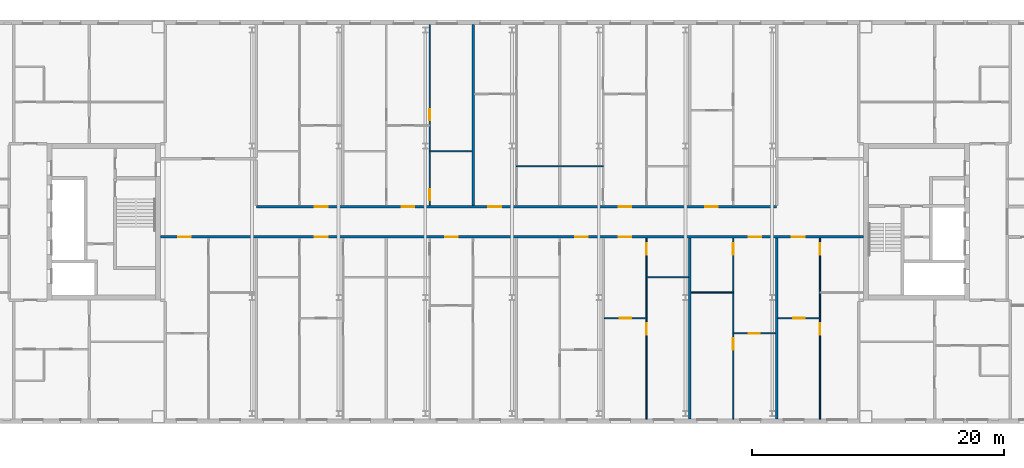
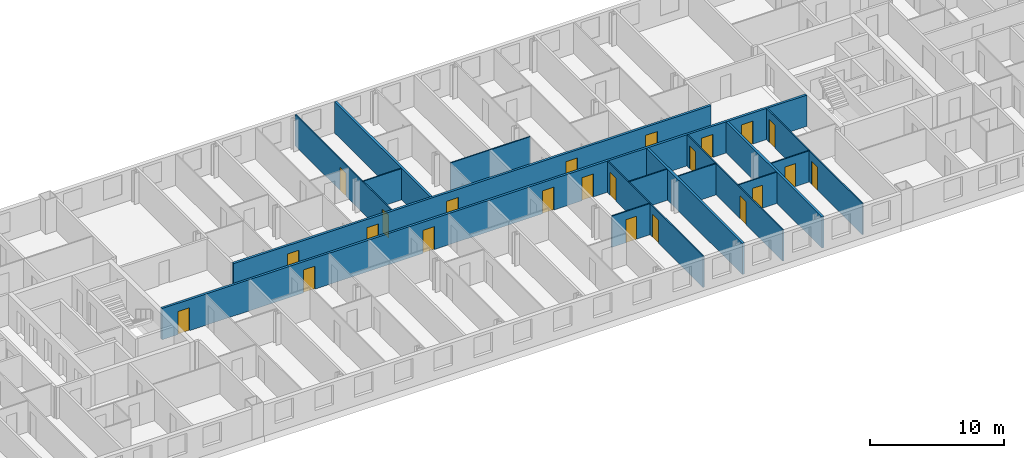
# One storey, part 11 of 19: 23 doors, 16 walls, 23 openings.
"""IFC4 building model written with IfcOpenShell, lengths in metres."""

from ifc_helpers import new_model, si_unit, direction, frame, frame_2d, origin, place, context, subcontext, project, spatial, rectangle, extrude, material, layer, layer_set, type_object, element, fill, save


model = new_model("IFC4")

# Units and contexts
model_context = context("Model", 3, precision=1e-05, world=origin(), true_north=direction((0.0, 1.0)))
body_context = subcontext(model_context, "Body", "Model", "MODEL_VIEW")
ifc_project = project(units=[si_unit("LENGTHUNIT", "METRE"), si_unit("AREAUNIT", "SQUARE_METRE"), si_unit("VOLUMEUNIT", "CUBIC_METRE"), si_unit("PLANEANGLEUNIT", "RADIAN"), si_unit("MASSUNIT", "GRAM", prefix="KILO")], contexts=[model_context])

# Site, building, storey
site_placement = place(None, origin())
site = spatial("IfcSite", under=ifc_project, at=site_placement, CompositionType="ELEMENT")
building_placement = place(site_placement, origin())
building = spatial("IfcBuilding", under=site, at=building_placement, Name="Tuart Gate Housing", CompositionType="ELEMENT")
storey_placement = place(building_placement, frame((0.0, 0.0, 221.39990234375)))
storey = spatial("IfcBuildingStorey", under=building, at=storey_placement, Name="L62", CompositionType="ELEMENT", Elevation=221.39990234375)

# Wall, openings, doors
ifc_material_1 = material(Name="Concrete masonry 15 MPa", Category="masonry")
ifc_layer_1 = layer(ifc_material_1, 0.199951171875)
ifc_layer_set_1 = layer_set([ifc_layer_1], Name="Corridor wall masonry 200")
wall_type_1 = type_object("IfcWallType", Name="Corridor wall masonry 200", PredefinedType="PARTITIONING", material=ifc_layer_set_1)
wall_1_placement = place(storey_placement, frame((75.639892578125, 68.800048828125, 0.0), z_axis=(0.0, 0.0, 1.0), x_axis=(1.0, 0.0, 0.0)))
wall_1 = element("IfcWall", 1, at=wall_1_placement, inside=storey, type_object=wall_type_1, Name="Corridor wall masonry 200", PredefinedType="PARTITIONING", context=body_context, shape_type="SweptSolid", body=[
    extrude(rectangle(XDim=55.72021484375, YDim=0.199951171875, at=frame_2d((27.860107421875, 0.0))), origin(), (0.0, 0.0, 1.0), 2.85009765625),
])
opening_1_placement = place(wall_1_placement, frame((1.39892578125, 0.0, 0.0)))
opening_1 = element("IfcOpeningElement", 2, at=opening_1_placement, cuts=wall_1, Name="Opening D2359", PredefinedType="OPENING", context=body_context, shape_type="SweptSolid", body=[
    extrude(rectangle(XDim=1.0, YDim=2.10009765625, at=frame_2d((0.5, 1.050048828125))), frame((0.0, 0.10986328125, 0.0), z_axis=(0.0, -1.0, 0.0), x_axis=(1.0, 0.0, 0.0)), (0.0, 0.0, 1.0), 0.219970703125),
])
opening_2_placement = place(wall_1_placement, frame((12.240966796875, 0.0, 0.0)))
opening_2 = element("IfcOpeningElement", 3, at=opening_2_placement, cuts=wall_1, Name="Opening D2360", PredefinedType="OPENING", context=body_context, shape_type="SweptSolid", body=[
    extrude(rectangle(XDim=1.0, YDim=2.10009765625, at=frame_2d((0.5, 1.050048828125))), frame((0.0, 0.10986328125, 0.0), z_axis=(0.0, -1.0, 0.0), x_axis=(1.0, 0.0, 0.0)), (0.0, 0.0, 1.0), 0.219970703125),
])
opening_3_placement = place(wall_1_placement, frame((22.553466796875, 0.0, 0.0)))
opening_3 = element("IfcOpeningElement", 4, at=opening_3_placement, cuts=wall_1, Name="Opening D2361", PredefinedType="OPENING", context=body_context, shape_type="SweptSolid", body=[
    extrude(rectangle(XDim=1.0, YDim=2.10009765625, at=frame_2d((0.5, 1.050048828125))), frame((0.0, 0.10986328125, 0.0), z_axis=(0.0, -1.0, 0.0), x_axis=(1.0, 0.0, 0.0)), (0.0, 0.0, 1.0), 0.219970703125),
])
opening_4_placement = place(wall_1_placement, frame((32.865966796875, 0.0, 0.0)))
opening_4 = element("IfcOpeningElement", 5, at=opening_4_placement, cuts=wall_1, Name="Opening D2362", PredefinedType="OPENING", context=body_context, shape_type="SweptSolid", body=[
    extrude(rectangle(XDim=1.0, YDim=2.10009765625, at=frame_2d((0.5, 1.050048828125))), frame((0.0, 0.10986328125, 0.0), z_axis=(0.0, -1.0, 0.0), x_axis=(1.0, 0.0, 0.0)), (0.0, 0.0, 1.0), 0.219970703125),
])
opening_5_placement = place(wall_1_placement, frame((36.303466796875, 0.0, 0.0)))
opening_5 = element("IfcOpeningElement", 6, at=opening_5_placement, cuts=wall_1, Name="Opening D2363", PredefinedType="OPENING", context=body_context, shape_type="SweptSolid", body=[
    extrude(rectangle(XDim=1.0, YDim=2.10009765625, at=frame_2d((0.5, 1.050048828125))), frame((0.0, 0.10986328125, 0.0), z_axis=(0.0, -1.0, 0.0), x_axis=(1.0, 0.0, 0.0)), (0.0, 0.0, 1.0), 0.219970703125),
])
opening_6_placement = place(wall_1_placement, frame((46.615966796875, 0.0, 0.0)))
opening_6 = element("IfcOpeningElement", 7, at=opening_6_placement, cuts=wall_1, Name="Opening D2364", PredefinedType="OPENING", context=body_context, shape_type="SweptSolid", body=[
    extrude(rectangle(XDim=1.0, YDim=2.10009765625, at=frame_2d((0.5, 1.050048828125))), frame((0.0, 0.10986328125, 0.0), z_axis=(0.0, -1.0, 0.0), x_axis=(1.0, 0.0, 0.0)), (0.0, 0.0, 1.0), 0.219970703125),
])
opening_7_placement = place(wall_1_placement, frame((50.053466796875, 0.0, 0.0)))
opening_7 = element("IfcOpeningElement", 8, at=opening_7_placement, cuts=wall_1, Name="Opening D2365", PredefinedType="OPENING", context=body_context, shape_type="SweptSolid", body=[
    extrude(rectangle(XDim=1.0, YDim=2.10009765625, at=frame_2d((0.5, 1.050048828125))), frame((0.0, 0.10986328125, 0.0), z_axis=(0.0, -1.0, 0.0), x_axis=(1.0, 0.0, 0.0)), (0.0, 0.0, 1.0), 0.219970703125),
])
ifc_material_2 = material(Name="Timber door leaf in steel frame", Category="steel")
door_type_1 = type_object("IfcDoorType", Name="Flat entrance door 1000 RH", OperationType="SINGLE_SWING_RIGHT", PredefinedType="DOOR", material=ifc_material_2)
door_1_placement = place(opening_1_placement, frame((1.0, 0.0, 0.0), z_axis=(0.0, 0.0, 1.0), x_axis=(-1.0, 0.0, 0.0)))
door_1 = element("IfcDoor", 9, at=door_1_placement, inside=storey, type_object=door_type_1, Name="Flat entrance door", OperationType="SINGLE_SWING_RIGHT", OverallHeight=2.10009765625, OverallWidth=1.0, PredefinedType="DOOR", context=body_context, shape_type="SweptSolid", body=[
    extrude(rectangle(XDim=1.0, YDim=2.10009765625, at=frame_2d((0.5, 1.050048828125))), frame((0.0, 0.025146484375, 0.0), z_axis=(0.0, -1.0, 0.0), x_axis=(1.0, 0.0, 0.0)), (0.0, 0.0, 1.0), 0.050048828125),
])
fill(opening_1, door_1)
door_2_placement = place(opening_2_placement, frame((1.0, 0.0, 0.0), z_axis=(0.0, 0.0, 1.0), x_axis=(-1.0, 0.0, 0.0)))
door_2 = element("IfcDoor", 10, at=door_2_placement, inside=storey, type_object=door_type_1, Name="Flat entrance door", OperationType="SINGLE_SWING_RIGHT", OverallHeight=2.10009765625, OverallWidth=1.0, PredefinedType="DOOR", context=body_context, shape_type="SweptSolid", body=[
    extrude(rectangle(XDim=1.0, YDim=2.10009765625, at=frame_2d((0.5, 1.050048828125))), frame((0.0, 0.025146484375, 0.0), z_axis=(0.0, -1.0, 0.0), x_axis=(1.0, 0.0, 0.0)), (0.0, 0.0, 1.0), 0.050048828125),
])
fill(opening_2, door_2)
door_3_placement = place(opening_3_placement, frame((1.0, 0.0, 0.0), z_axis=(0.0, 0.0, 1.0), x_axis=(-1.0, 0.0, 0.0)))
door_3 = element("IfcDoor", 11, at=door_3_placement, inside=storey, type_object=door_type_1, Name="Flat entrance door", OperationType="SINGLE_SWING_RIGHT", OverallHeight=2.10009765625, OverallWidth=1.0, PredefinedType="DOOR", context=body_context, shape_type="SweptSolid", body=[
    extrude(rectangle(XDim=1.0, YDim=2.10009765625, at=frame_2d((0.5, 1.050048828125))), frame((0.0, 0.025146484375, 0.0), z_axis=(0.0, -1.0, 0.0), x_axis=(1.0, 0.0, 0.0)), (0.0, 0.0, 1.0), 0.050048828125),
])
fill(opening_3, door_3)
door_4_placement = place(opening_4_placement, frame((1.0, 0.0, 0.0), z_axis=(0.0, 0.0, 1.0), x_axis=(-1.0, 0.0, 0.0)))
door_4 = element("IfcDoor", 12, at=door_4_placement, inside=storey, type_object=door_type_1, Name="Flat entrance door", OperationType="SINGLE_SWING_RIGHT", OverallHeight=2.10009765625, OverallWidth=1.0, PredefinedType="DOOR", context=body_context, shape_type="SweptSolid", body=[
    extrude(rectangle(XDim=1.0, YDim=2.10009765625, at=frame_2d((0.5, 1.050048828125))), frame((0.0, 0.025146484375, 0.0), z_axis=(0.0, -1.0, 0.0), x_axis=(1.0, 0.0, 0.0)), (0.0, 0.0, 1.0), 0.050048828125),
])
fill(opening_4, door_4)
door_5_placement = place(opening_5_placement, frame((1.0, 0.0, 0.0), z_axis=(0.0, 0.0, 1.0), x_axis=(-1.0, 0.0, 0.0)))
door_5 = element("IfcDoor", 13, at=door_5_placement, inside=storey, type_object=door_type_1, Name="Flat entrance door", OperationType="SINGLE_SWING_RIGHT", OverallHeight=2.10009765625, OverallWidth=1.0, PredefinedType="DOOR", context=body_context, shape_type="SweptSolid", body=[
    extrude(rectangle(XDim=1.0, YDim=2.10009765625, at=frame_2d((0.5, 1.050048828125))), frame((0.0, 0.025146484375, 0.0), z_axis=(0.0, -1.0, 0.0), x_axis=(1.0, 0.0, 0.0)), (0.0, 0.0, 1.0), 0.050048828125),
])
fill(opening_5, door_5)
door_6_placement = place(opening_6_placement, frame((1.0, 0.0, 0.0), z_axis=(0.0, 0.0, 1.0), x_axis=(-1.0, 0.0, 0.0)))
door_6 = element("IfcDoor", 14, at=door_6_placement, inside=storey, type_object=door_type_1, Name="Flat entrance door", OperationType="SINGLE_SWING_RIGHT", OverallHeight=2.10009765625, OverallWidth=1.0, PredefinedType="DOOR", context=body_context, shape_type="SweptSolid", body=[
    extrude(rectangle(XDim=1.0, YDim=2.10009765625, at=frame_2d((0.5, 1.050048828125))), frame((0.0, 0.025146484375, 0.0), z_axis=(0.0, -1.0, 0.0), x_axis=(1.0, 0.0, 0.0)), (0.0, 0.0, 1.0), 0.050048828125),
])
fill(opening_6, door_6)
door_7_placement = place(opening_7_placement, frame((1.0, 0.0, 0.0), z_axis=(0.0, 0.0, 1.0), x_axis=(-1.0, 0.0, 0.0)))
door_7 = element("IfcDoor", 15, at=door_7_placement, inside=storey, type_object=door_type_1, Name="Flat entrance door", OperationType="SINGLE_SWING_RIGHT", OverallHeight=2.10009765625, OverallWidth=1.0, PredefinedType="DOOR", context=body_context, shape_type="SweptSolid", body=[
    extrude(rectangle(XDim=1.0, YDim=2.10009765625, at=frame_2d((0.5, 1.050048828125))), frame((0.0, 0.025146484375, 0.0), z_axis=(0.0, -1.0, 0.0), x_axis=(1.0, 0.0, 0.0)), (0.0, 0.0, 1.0), 0.050048828125),
])
fill(opening_7, door_7)

wall_2_placement = place(storey_placement, frame((83.22509765625, 71.199951171875, 0.0), z_axis=(0.0, 0.0, 1.0), x_axis=(1.0, 0.0, 0.0)))
wall_2 = element("IfcWall", 16, at=wall_2_placement, inside=storey, type_object=wall_type_1, Name="Corridor wall masonry 200", PredefinedType="PARTITIONING", context=body_context, shape_type="SweptSolid", body=[
    extrude(rectangle(XDim=41.25, YDim=0.199951171875, at=frame_2d((20.625, 0.0))), origin(), (0.0, 0.0, 1.0), 2.85009765625),
])
opening_8_placement = place(wall_2_placement, frame((4.656005859375, 0.0, 0.0)))
opening_8 = element("IfcOpeningElement", 17, at=opening_8_placement, cuts=wall_2, Name="Opening D2354", PredefinedType="OPENING", context=body_context, shape_type="SweptSolid", body=[
    extrude(rectangle(XDim=1.0, YDim=2.10009765625, at=frame_2d((0.5, 1.050048828125))), frame((0.0, 0.10986328125, 0.0), z_axis=(0.0, -1.0, 0.0), x_axis=(1.0, 0.0, 0.0)), (0.0, 0.0, 1.0), 0.219970703125),
])
opening_9_placement = place(wall_2_placement, frame((11.531005859375, 0.0, 0.0)))
opening_9 = element("IfcOpeningElement", 18, at=opening_9_placement, cuts=wall_2, Name="Opening D2355", PredefinedType="OPENING", context=body_context, shape_type="SweptSolid", body=[
    extrude(rectangle(XDim=1.0, YDim=2.10009765625, at=frame_2d((0.5, 1.050048828125))), frame((0.0, 0.10986328125, 0.0), z_axis=(0.0, -1.0, 0.0), x_axis=(1.0, 0.0, 0.0)), (0.0, 0.0, 1.0), 0.219970703125),
])
opening_10_placement = place(wall_2_placement, frame((18.406005859375, 0.0, 0.0)))
opening_10 = element("IfcOpeningElement", 19, at=opening_10_placement, cuts=wall_2, Name="Opening D2356", PredefinedType="OPENING", context=body_context, shape_type="SweptSolid", body=[
    extrude(rectangle(XDim=1.0, YDim=2.10009765625, at=frame_2d((0.5, 1.050048828125))), frame((0.0, 0.10986328125, 0.0), z_axis=(0.0, -1.0, 0.0), x_axis=(1.0, 0.0, 0.0)), (0.0, 0.0, 1.0), 0.219970703125),
])
opening_11_placement = place(wall_2_placement, frame((28.718505859375, 0.0, 0.0)))
opening_11 = element("IfcOpeningElement", 20, at=opening_11_placement, cuts=wall_2, Name="Opening D2357", PredefinedType="OPENING", context=body_context, shape_type="SweptSolid", body=[
    extrude(rectangle(XDim=1.0, YDim=2.10009765625, at=frame_2d((0.5, 1.050048828125))), frame((0.0, 0.10986328125, 0.0), z_axis=(0.0, -1.0, 0.0), x_axis=(1.0, 0.0, 0.0)), (0.0, 0.0, 1.0), 0.219970703125),
])
opening_12_placement = place(wall_2_placement, frame((35.593505859375, 0.0, 0.0)))
opening_12 = element("IfcOpeningElement", 21, at=opening_12_placement, cuts=wall_2, Name="Opening D2358", PredefinedType="OPENING", context=body_context, shape_type="SweptSolid", body=[
    extrude(rectangle(XDim=1.0, YDim=2.10009765625, at=frame_2d((0.5, 1.050048828125))), frame((0.0, 0.10986328125, 0.0), z_axis=(0.0, -1.0, 0.0), x_axis=(1.0, 0.0, 0.0)), (0.0, 0.0, 1.0), 0.219970703125),
])
ifc_material_3 = material(Name="Timber door leaf in steel frame", Category="steel")
door_type_2 = type_object("IfcDoorType", Name="Flat entrance door 1000", OperationType="SINGLE_SWING_LEFT", PredefinedType="DOOR", material=ifc_material_3)
door_8_placement = place(opening_8_placement, origin())
door_8 = element("IfcDoor", 22, at=door_8_placement, inside=storey, type_object=door_type_2, Name="Flat entrance door", OperationType="SINGLE_SWING_LEFT", OverallHeight=2.10009765625, OverallWidth=1.0, PredefinedType="DOOR", context=body_context, shape_type="SweptSolid", body=[
    extrude(rectangle(XDim=1.0, YDim=2.10009765625, at=frame_2d((0.5, 1.050048828125))), frame((0.0, 0.02490234375, 0.0), z_axis=(0.0, -1.0, 0.0), x_axis=(1.0, 0.0, 0.0)), (0.0, 0.0, 1.0), 0.050048828125),
])
fill(opening_8, door_8)
door_9_placement = place(opening_9_placement, origin())
door_9 = element("IfcDoor", 23, at=door_9_placement, inside=storey, type_object=door_type_2, Name="Flat entrance door", OperationType="SINGLE_SWING_LEFT", OverallHeight=2.10009765625, OverallWidth=1.0, PredefinedType="DOOR", context=body_context, shape_type="SweptSolid", body=[
    extrude(rectangle(XDim=1.0, YDim=2.10009765625, at=frame_2d((0.5, 1.050048828125))), frame((0.0, 0.02490234375, 0.0), z_axis=(0.0, -1.0, 0.0), x_axis=(1.0, 0.0, 0.0)), (0.0, 0.0, 1.0), 0.050048828125),
])
fill(opening_9, door_9)
door_10_placement = place(opening_10_placement, origin())
door_10 = element("IfcDoor", 24, at=door_10_placement, inside=storey, type_object=door_type_2, Name="Flat entrance door", OperationType="SINGLE_SWING_LEFT", OverallHeight=2.10009765625, OverallWidth=1.0, PredefinedType="DOOR", context=body_context, shape_type="SweptSolid", body=[
    extrude(rectangle(XDim=1.0, YDim=2.10009765625, at=frame_2d((0.5, 1.050048828125))), frame((0.0, 0.02490234375, 0.0), z_axis=(0.0, -1.0, 0.0), x_axis=(1.0, 0.0, 0.0)), (0.0, 0.0, 1.0), 0.050048828125),
])
fill(opening_10, door_10)
door_11_placement = place(opening_11_placement, origin())
door_11 = element("IfcDoor", 25, at=door_11_placement, inside=storey, type_object=door_type_2, Name="Flat entrance door", OperationType="SINGLE_SWING_LEFT", OverallHeight=2.10009765625, OverallWidth=1.0, PredefinedType="DOOR", context=body_context, shape_type="SweptSolid", body=[
    extrude(rectangle(XDim=1.0, YDim=2.10009765625, at=frame_2d((0.5, 1.050048828125))), frame((0.0, 0.02490234375, 0.0), z_axis=(0.0, -1.0, 0.0), x_axis=(1.0, 0.0, 0.0)), (0.0, 0.0, 1.0), 0.050048828125),
])
fill(opening_11, door_11)
door_12_placement = place(opening_12_placement, origin())
door_12 = element("IfcDoor", 26, at=door_12_placement, inside=storey, type_object=door_type_2, Name="Flat entrance door", OperationType="SINGLE_SWING_LEFT", OverallHeight=2.10009765625, OverallWidth=1.0, PredefinedType="DOOR", context=body_context, shape_type="SweptSolid", body=[
    extrude(rectangle(XDim=1.0, YDim=2.10009765625, at=frame_2d((0.5, 1.050048828125))), frame((0.0, 0.02490234375, 0.0), z_axis=(0.0, -1.0, 0.0), x_axis=(1.0, 0.0, 0.0)), (0.0, 0.0, 1.0), 0.050048828125),
])
fill(opening_12, door_12)

# Wall, opening, door
ifc_material_4 = material(Name="Gypsum board on steel studs", Category="steel")
ifc_layer_2 = layer(ifc_material_4, 0.10009765625)
ifc_layer_set_2 = layer_set([ifc_layer_2], Name="Partition 100")
wall_type_2 = type_object("IfcWallType", Name="Partition 100", PredefinedType="PARTITIONING", material=ifc_layer_set_2)
wall_3_placement = place(storey_placement, frame((121.037109375, 61.159912109375, 0.0), z_axis=(0.0, 0.0, 1.0), x_axis=(1.0, 0.0, 0.0)))
wall_3 = element("IfcWall", 27, at=wall_3_placement, inside=storey, type_object=wall_type_2, Name="Partition 100", PredefinedType="PARTITIONING", context=body_context, shape_type="SweptSolid", body=[
    extrude(rectangle(XDim=3.337890625, YDim=0.10009765625, at=frame_2d((1.6689453125, 0.0))), origin(), (0.0, 0.0, 1.0), 2.85009765625),
])
opening_13_placement = place(wall_3_placement, frame((1.218994140625, 0.0, 0.0)))
opening_13 = element("IfcOpeningElement", 28, at=opening_13_placement, cuts=wall_3, Name="Opening D2389", PredefinedType="OPENING", context=body_context, shape_type="SweptSolid", body=[
    extrude(rectangle(XDim=0.89990234375, YDim=2.10009765625, at=frame_2d((0.449951171875, 1.050048828125))), frame((0.0, 0.06005859375, 0.0), z_axis=(0.0, -1.0, 0.0), x_axis=(1.0, 0.0, 0.0)), (0.0, 0.0, 1.0), 0.1201171875),
])
ifc_material_5 = material(Name="Timber door leaf in steel frame", Category="steel")
door_type_3 = type_object("IfcDoorType", Name="Internal door 900", OperationType="SINGLE_SWING_LEFT", PredefinedType="DOOR", material=ifc_material_5)
door_13_placement = place(opening_13_placement, origin())
door_13 = element("IfcDoor", 29, at=door_13_placement, inside=storey, type_object=door_type_3, Name="Internal door", OperationType="SINGLE_SWING_LEFT", OverallHeight=2.10009765625, OverallWidth=0.89990234375, PredefinedType="DOOR", context=body_context, shape_type="SweptSolid", body=[
    extrude(rectangle(XDim=0.89990234375, YDim=2.10009765625, at=frame_2d((0.449951171875, 1.050048828125))), frame((0.0, 0.02490234375, 0.0), z_axis=(0.0, -1.0, 0.0), x_axis=(1.0, 0.0, 0.0)), (0.0, 0.0, 1.0), 0.050048828125),
])
fill(opening_13, door_13)

wall_4_placement = place(storey_placement, frame((110.824951171875, 62.360107421875, 0.0), z_axis=(0.0, 0.0, 1.0), x_axis=(1.0, 0.0, 0.0)))
wall_4 = element("IfcWall", 30, at=wall_4_placement, inside=storey, type_object=wall_type_2, Name="Partition 100", PredefinedType="PARTITIONING", context=body_context, shape_type="SweptSolid", body=[
    extrude(rectangle(XDim=3.337158203125, YDim=0.10009765625, at=frame_2d((1.66845703125, 0.0))), origin(), (0.0, 0.0, 1.0), 2.85009765625),
])
opening_14_placement = place(wall_4_placement, frame((1.218505859375, 0.0, 0.0)))
opening_14 = element("IfcOpeningElement", 31, at=opening_14_placement, cuts=wall_4, Name="Opening D2368", PredefinedType="OPENING", context=body_context, shape_type="SweptSolid", body=[
    extrude(rectangle(XDim=0.89990234375, YDim=2.10009765625, at=frame_2d((0.449951171875, 1.050048828125))), frame((0.0, 0.06005859375, 0.0), z_axis=(0.0, -1.0, 0.0), x_axis=(1.0, 0.0, 0.0)), (0.0, 0.0, 1.0), 0.1201171875),
])
ifc_material_6 = material(Name="Timber door leaf in steel frame", Category="steel")
door_type_4 = type_object("IfcDoorType", Name="Internal door 900 RH", OperationType="SINGLE_SWING_RIGHT", PredefinedType="DOOR", material=ifc_material_6)
door_14_placement = place(opening_14_placement, origin())
door_14 = element("IfcDoor", 32, at=door_14_placement, inside=storey, type_object=door_type_4, Name="Internal door", OperationType="SINGLE_SWING_RIGHT", OverallHeight=2.10009765625, OverallWidth=0.89990234375, PredefinedType="DOOR", context=body_context, shape_type="SweptSolid", body=[
    extrude(rectangle(XDim=0.89990234375, YDim=2.10009765625, at=frame_2d((0.449951171875, 1.050048828125))), frame((0.0, 0.02490234375, 0.0), z_axis=(0.0, -1.0, 0.0), x_axis=(1.0, 0.0, 0.0)), (0.0, 0.0, 1.0), 0.050048828125),
])
fill(opening_14, door_14)

wall_5_placement = place(storey_placement, frame((124.574951171875, 62.360107421875, 0.0), z_axis=(0.0, 0.0, 1.0), x_axis=(1.0, 0.0, 0.0)))
wall_5 = element("IfcWall", 33, at=wall_5_placement, inside=storey, type_object=wall_type_2, Name="Partition 100", PredefinedType="PARTITIONING", context=body_context, shape_type="SweptSolid", body=[
    extrude(rectangle(XDim=3.337158203125, YDim=0.10009765625, at=frame_2d((1.66845703125, 0.0))), origin(), (0.0, 0.0, 1.0), 2.85009765625),
])
opening_15_placement = place(wall_5_placement, frame((1.218505859375, 0.0, 0.0)))
opening_15 = element("IfcOpeningElement", 34, at=opening_15_placement, cuts=wall_5, Name="Opening D2369", PredefinedType="OPENING", context=body_context, shape_type="SweptSolid", body=[
    extrude(rectangle(XDim=0.89990234375, YDim=2.10009765625, at=frame_2d((0.449951171875, 1.050048828125))), frame((0.0, 0.06005859375, 0.0), z_axis=(0.0, -1.0, 0.0), x_axis=(1.0, 0.0, 0.0)), (0.0, 0.0, 1.0), 0.1201171875),
])
door_15_placement = place(opening_15_placement, origin())
door_15 = element("IfcDoor", 35, at=door_15_placement, inside=storey, type_object=door_type_4, Name="Internal door", OperationType="SINGLE_SWING_RIGHT", OverallHeight=2.10009765625, OverallWidth=0.89990234375, PredefinedType="DOOR", context=body_context, shape_type="SweptSolid", body=[
    extrude(rectangle(XDim=0.89990234375, YDim=2.10009765625, at=frame_2d((0.449951171875, 1.050048828125))), frame((0.0, 0.02490234375, 0.0), z_axis=(0.0, -1.0, 0.0), x_axis=(1.0, 0.0, 0.0)), (0.0, 0.0, 1.0), 0.050048828125),
])
fill(opening_15, door_15)

# Walls
wall_6_placement = place(storey_placement, frame((117.699951171875, 64.39990234375, 0.0), z_axis=(0.0, 0.0, 1.0), x_axis=(1.0, 0.0, 0.0)))
element("IfcWall", 36, at=wall_6_placement, inside=storey, type_object=wall_type_2, Name="Partition 100", PredefinedType="PARTITIONING", context=body_context, shape_type="SweptSolid", body=[
    extrude(rectangle(XDim=3.337158203125, YDim=0.10009765625, at=frame_2d((1.66845703125, 0.0))), origin(), (0.0, 0.0, 1.0), 2.85009765625),
])
wall_7_placement = place(storey_placement, frame((114.162109375, 65.60009765625, 0.0), z_axis=(0.0, 0.0, 1.0), x_axis=(1.0, 0.0, 0.0)))
element("IfcWall", 37, at=wall_7_placement, inside=storey, type_object=wall_type_2, Name="Partition 100", PredefinedType="PARTITIONING", context=body_context, shape_type="SweptSolid", body=[
    extrude(rectangle(XDim=3.337890625, YDim=0.10009765625, at=frame_2d((1.6689453125, 0.0))), origin(), (0.0, 0.0, 1.0), 2.85009765625),
])
wall_8_placement = place(storey_placement, frame((103.85009765625, 74.39990234375, 0.0), z_axis=(0.0, 0.0, 1.0), x_axis=(1.0, 0.0, 0.0)))
element("IfcWall", 38, at=wall_8_placement, inside=storey, type_object=wall_type_2, Name="Partition 100", PredefinedType="PARTITIONING", context=body_context, shape_type="SweptSolid", body=[
    extrude(rectangle(XDim=6.875, YDim=0.10009765625, at=frame_2d((3.4375, 0.0))), origin(), (0.0, 0.0, 1.0), 2.85009765625),
])
wall_9_placement = place(storey_placement, frame((96.97509765625, 75.60009765625, 0.0), z_axis=(0.0, 0.0, 1.0), x_axis=(1.0, 0.0, 0.0)))
element("IfcWall", 39, at=wall_9_placement, inside=storey, type_object=wall_type_2, Name="Partition 100", PredefinedType="PARTITIONING", context=body_context, shape_type="SweptSolid", body=[
    extrude(rectangle(XDim=3.3369140625, YDim=0.10009765625, at=frame_2d((1.66845703125, 0.0))), origin(), (0.0, 0.0, 1.0), 2.85009765625),
])

# Wall, openings, doors
wall_10_placement = place(storey_placement, frame((96.97509765625, 71.300048828125, 0.0), z_axis=(0.0, 0.0, 1.0), x_axis=(0.0, 1.0, 0.0)))
wall_10 = element("IfcWall", 40, at=wall_10_placement, inside=storey, type_object=wall_type_2, Name="Partition 100", PredefinedType="PARTITIONING", context=body_context, shape_type="SweptSolid", body=[
    extrude(rectangle(XDim=14.33984375, YDim=0.10009765625, at=frame_2d((7.169921875, 0.0))), origin(), (0.0, 0.0, 1.0), 2.85009765625),
])
opening_16_placement = place(wall_10_placement, frame((6.739990234375, 0.0, 0.0)))
opening_16 = element("IfcOpeningElement", 41, at=opening_16_placement, cuts=wall_10, Name="Opening D2341", PredefinedType="OPENING", context=body_context, shape_type="SweptSolid", body=[
    extrude(rectangle(XDim=0.89990234375, YDim=2.10009765625, at=frame_2d((0.449951171875, 1.050048828125))), frame((0.0, 0.06005859375, 0.0), z_axis=(0.0, -1.0, 0.0), x_axis=(1.0, 0.0, 0.0)), (0.0, 0.0, 1.0), 0.1201171875),
])
opening_17_placement = place(wall_10_placement, frame((0.39990234375, 0.0, 0.0)))
opening_17 = element("IfcOpeningElement", 42, at=opening_17_placement, cuts=wall_10, Name="Opening D2340", PredefinedType="OPENING", context=body_context, shape_type="SweptSolid", body=[
    extrude(rectangle(XDim=0.89990234375, YDim=2.10009765625, at=frame_2d((0.449951171875, 1.050048828125))), frame((0.0, 0.06005859375, 0.0), z_axis=(0.0, -1.0, 0.0), x_axis=(1.0, 0.0, 0.0)), (0.0, 0.0, 1.0), 0.1201171875),
])
ifc_material_7 = material(Name="Timber door leaf in steel frame", Category="steel")
door_type_5 = type_object("IfcDoorType", Name="Bathroom door 900 RH", OperationType="SINGLE_SWING_RIGHT", PredefinedType="DOOR", material=ifc_material_7)
door_16_placement = place(opening_17_placement, frame((0.89990234375, 0.0, 0.0), z_axis=(0.0, 0.0, 1.0), x_axis=(-1.0, 0.0, 0.0)))
door_16 = element("IfcDoor", 43, at=door_16_placement, inside=storey, type_object=door_type_5, Name="Bathroom door", OperationType="SINGLE_SWING_RIGHT", OverallHeight=2.10009765625, OverallWidth=0.89990234375, PredefinedType="DOOR", context=body_context, shape_type="SweptSolid", body=[
    extrude(rectangle(XDim=0.89990234375, YDim=2.10009765625, at=frame_2d((0.449951171875, 1.050048828125))), frame((0.0, 0.025146484375, 0.0), z_axis=(0.0, -1.0, 0.0), x_axis=(1.0, 0.0, 0.0)), (0.0, 0.0, 1.0), 0.050048828125),
])
fill(opening_17, door_16)
door_17_placement = place(opening_16_placement, frame((0.89990234375, 0.0, 0.0), z_axis=(0.0, 0.0, 1.0), x_axis=(-1.0, 0.0, 0.0)))
door_17 = element("IfcDoor", 44, at=door_17_placement, inside=storey, type_object=door_type_4, Name="Internal door", OperationType="SINGLE_SWING_RIGHT", OverallHeight=2.10009765625, OverallWidth=0.89990234375, PredefinedType="DOOR", context=body_context, shape_type="SweptSolid", body=[
    extrude(rectangle(XDim=0.89990234375, YDim=2.10009765625, at=frame_2d((0.449951171875, 1.050048828125))), frame((0.0, 0.025146484375, 0.0), z_axis=(0.0, -1.0, 0.0), x_axis=(1.0, 0.0, 0.0)), (0.0, 0.0, 1.0), 0.050048828125),
])
fill(opening_16, door_17)

wall_11_placement = place(storey_placement, frame((114.162109375, 54.360107421875, 0.0), z_axis=(0.0, 0.0, 1.0), x_axis=(0.0, 1.0, 0.0)))
wall_11 = element("IfcWall", 45, at=wall_11_placement, inside=storey, type_object=wall_type_2, Name="Partition 100", PredefinedType="PARTITIONING", context=body_context, shape_type="SweptSolid", body=[
    extrude(rectangle(XDim=14.33984375, YDim=0.10009765625, at=frame_2d((7.169921875, 0.0))), origin(), (0.0, 0.0, 1.0), 2.85009765625),
])
opening_18_placement = place(wall_11_placement, frame((6.699951171875, 0.0, 0.0)))
opening_18 = element("IfcOpeningElement", 46, at=opening_18_placement, cuts=wall_11, Name="Opening D2383", PredefinedType="OPENING", context=body_context, shape_type="SweptSolid", body=[
    extrude(rectangle(XDim=0.89990234375, YDim=2.10009765625, at=frame_2d((0.449951171875, 1.050048828125))), frame((0.0, 0.06005859375, 0.0), z_axis=(0.0, -1.0, 0.0), x_axis=(1.0, 0.0, 0.0)), (0.0, 0.0, 1.0), 0.1201171875),
])
opening_19_placement = place(wall_11_placement, frame((13.0400390625, 0.0, 0.0)))
opening_19 = element("IfcOpeningElement", 47, at=opening_19_placement, cuts=wall_11, Name="Opening D2382", PredefinedType="OPENING", context=body_context, shape_type="SweptSolid", body=[
    extrude(rectangle(XDim=0.89990234375, YDim=2.10009765625, at=frame_2d((0.449951171875, 1.050048828125))), frame((0.0, 0.06005859375, 0.0), z_axis=(0.0, -1.0, 0.0), x_axis=(1.0, 0.0, 0.0)), (0.0, 0.0, 1.0), 0.1201171875),
])
ifc_material_8 = material(Name="Timber door leaf in steel frame", Category="steel")
door_type_6 = type_object("IfcDoorType", Name="Bathroom door 900", OperationType="SINGLE_SWING_LEFT", PredefinedType="DOOR", material=ifc_material_8)
door_18_placement = place(opening_19_placement, frame((0.89990234375, 0.0, 0.0), z_axis=(0.0, 0.0, 1.0), x_axis=(-1.0, 0.0, 0.0)))
door_18 = element("IfcDoor", 48, at=door_18_placement, inside=storey, type_object=door_type_6, Name="Bathroom door", OperationType="SINGLE_SWING_LEFT", OverallHeight=2.10009765625, OverallWidth=0.89990234375, PredefinedType="DOOR", context=body_context, shape_type="SweptSolid", body=[
    extrude(rectangle(XDim=0.89990234375, YDim=2.10009765625, at=frame_2d((0.449951171875, 1.050048828125))), frame((0.0, 0.025146484375, 0.0), z_axis=(0.0, -1.0, 0.0), x_axis=(1.0, 0.0, 0.0)), (0.0, 0.0, 1.0), 0.050048828125),
])
fill(opening_19, door_18)
door_19_placement = place(opening_18_placement, frame((0.89990234375, 0.0, 0.0), z_axis=(0.0, 0.0, 1.0), x_axis=(-1.0, 0.0, 0.0)))
door_19 = element("IfcDoor", 49, at=door_19_placement, inside=storey, type_object=door_type_3, Name="Internal door", OperationType="SINGLE_SWING_LEFT", OverallHeight=2.10009765625, OverallWidth=0.89990234375, PredefinedType="DOOR", context=body_context, shape_type="SweptSolid", body=[
    extrude(rectangle(XDim=0.89990234375, YDim=2.10009765625, at=frame_2d((0.449951171875, 1.050048828125))), frame((0.0, 0.025146484375, 0.0), z_axis=(0.0, -1.0, 0.0), x_axis=(1.0, 0.0, 0.0)), (0.0, 0.0, 1.0), 0.050048828125),
])
fill(opening_18, door_19)

wall_12_placement = place(storey_placement, frame((121.037109375, 54.360107421875, 0.0), z_axis=(0.0, 0.0, 1.0), x_axis=(0.0, 1.0, 0.0)))
wall_12 = element("IfcWall", 50, at=wall_12_placement, inside=storey, type_object=wall_type_2, Name="Partition 100", PredefinedType="PARTITIONING", context=body_context, shape_type="SweptSolid", body=[
    extrude(rectangle(XDim=14.33984375, YDim=0.10009765625, at=frame_2d((7.169921875, 0.0))), origin(), (0.0, 0.0, 1.0), 2.85009765625),
])
opening_20_placement = place(wall_12_placement, frame((5.5, 0.0, 0.0)))
opening_20 = element("IfcOpeningElement", 51, at=opening_20_placement, cuts=wall_12, Name="Opening D2385", PredefinedType="OPENING", context=body_context, shape_type="SweptSolid", body=[
    extrude(rectangle(XDim=0.89990234375, YDim=2.10009765625, at=frame_2d((0.449951171875, 1.050048828125))), frame((0.0, 0.06005859375, 0.0), z_axis=(0.0, -1.0, 0.0), x_axis=(1.0, 0.0, 0.0)), (0.0, 0.0, 1.0), 0.1201171875),
])
opening_21_placement = place(wall_12_placement, frame((13.0400390625, 0.0, 0.0)))
opening_21 = element("IfcOpeningElement", 52, at=opening_21_placement, cuts=wall_12, Name="Opening D2384", PredefinedType="OPENING", context=body_context, shape_type="SweptSolid", body=[
    extrude(rectangle(XDim=0.89990234375, YDim=2.10009765625, at=frame_2d((0.449951171875, 1.050048828125))), frame((0.0, 0.06005859375, 0.0), z_axis=(0.0, -1.0, 0.0), x_axis=(1.0, 0.0, 0.0)), (0.0, 0.0, 1.0), 0.1201171875),
])
door_20_placement = place(opening_21_placement, origin())
door_20 = element("IfcDoor", 53, at=door_20_placement, inside=storey, type_object=door_type_5, Name="Bathroom door", OperationType="SINGLE_SWING_RIGHT", OverallHeight=2.10009765625, OverallWidth=0.89990234375, PredefinedType="DOOR", context=body_context, shape_type="SweptSolid", body=[
    extrude(rectangle(XDim=0.89990234375, YDim=2.10009765625, at=frame_2d((0.449951171875, 1.050048828125))), frame((0.0, 0.02490234375, 0.0), z_axis=(0.0, -1.0, 0.0), x_axis=(1.0, 0.0, 0.0)), (0.0, 0.0, 1.0), 0.050048828125),
])
fill(opening_21, door_20)
door_21_placement = place(opening_20_placement, origin())
door_21 = element("IfcDoor", 54, at=door_21_placement, inside=storey, type_object=door_type_4, Name="Internal door", OperationType="SINGLE_SWING_RIGHT", OverallHeight=2.10009765625, OverallWidth=0.89990234375, PredefinedType="DOOR", context=body_context, shape_type="SweptSolid", body=[
    extrude(rectangle(XDim=0.89990234375, YDim=2.10009765625, at=frame_2d((0.449951171875, 1.050048828125))), frame((0.0, 0.02490234375, 0.0), z_axis=(0.0, -1.0, 0.0), x_axis=(1.0, 0.0, 0.0)), (0.0, 0.0, 1.0), 0.050048828125),
])
fill(opening_20, door_21)

wall_13_placement = place(storey_placement, frame((127.912109375, 54.360107421875, 0.0), z_axis=(0.0, 0.0, 1.0), x_axis=(0.0, 1.0, 0.0)))
wall_13 = element("IfcWall", 55, at=wall_13_placement, inside=storey, type_object=wall_type_2, Name="Partition 100", PredefinedType="PARTITIONING", context=body_context, shape_type="SweptSolid", body=[
    extrude(rectangle(XDim=14.33984375, YDim=0.10009765625, at=frame_2d((7.169921875, 0.0))), origin(), (0.0, 0.0, 1.0), 2.85009765625),
])
opening_22_placement = place(wall_13_placement, frame((6.699951171875, 0.0, 0.0)))
opening_22 = element("IfcOpeningElement", 56, at=opening_22_placement, cuts=wall_13, Name="Opening D2387", PredefinedType="OPENING", context=body_context, shape_type="SweptSolid", body=[
    extrude(rectangle(XDim=0.89990234375, YDim=2.10009765625, at=frame_2d((0.449951171875, 1.050048828125))), frame((0.0, 0.06005859375, 0.0), z_axis=(0.0, -1.0, 0.0), x_axis=(1.0, 0.0, 0.0)), (0.0, 0.0, 1.0), 0.1201171875),
])
opening_23_placement = place(wall_13_placement, frame((13.0400390625, 0.0, 0.0)))
opening_23 = element("IfcOpeningElement", 57, at=opening_23_placement, cuts=wall_13, Name="Opening D2386", PredefinedType="OPENING", context=body_context, shape_type="SweptSolid", body=[
    extrude(rectangle(XDim=0.89990234375, YDim=2.10009765625, at=frame_2d((0.449951171875, 1.050048828125))), frame((0.0, 0.06005859375, 0.0), z_axis=(0.0, -1.0, 0.0), x_axis=(1.0, 0.0, 0.0)), (0.0, 0.0, 1.0), 0.1201171875),
])
door_22_placement = place(opening_23_placement, frame((0.89990234375, 0.0, 0.0), z_axis=(0.0, 0.0, 1.0), x_axis=(-1.0, 0.0, 0.0)))
door_22 = element("IfcDoor", 58, at=door_22_placement, inside=storey, type_object=door_type_6, Name="Bathroom door", OperationType="SINGLE_SWING_LEFT", OverallHeight=2.10009765625, OverallWidth=0.89990234375, PredefinedType="DOOR", context=body_context, shape_type="SweptSolid", body=[
    extrude(rectangle(XDim=0.89990234375, YDim=2.10009765625, at=frame_2d((0.449951171875, 1.050048828125))), frame((0.0, 0.025146484375, 0.0), z_axis=(0.0, -1.0, 0.0), x_axis=(1.0, 0.0, 0.0)), (0.0, 0.0, 1.0), 0.050048828125),
])
fill(opening_23, door_22)
door_23_placement = place(opening_22_placement, frame((0.89990234375, 0.0, 0.0), z_axis=(0.0, 0.0, 1.0), x_axis=(-1.0, 0.0, 0.0)))
door_23 = element("IfcDoor", 59, at=door_23_placement, inside=storey, type_object=door_type_3, Name="Internal door", OperationType="SINGLE_SWING_LEFT", OverallHeight=2.10009765625, OverallWidth=0.89990234375, PredefinedType="DOOR", context=body_context, shape_type="SweptSolid", body=[
    extrude(rectangle(XDim=0.89990234375, YDim=2.10009765625, at=frame_2d((0.449951171875, 1.050048828125))), frame((0.0, 0.025146484375, 0.0), z_axis=(0.0, -1.0, 0.0), x_axis=(1.0, 0.0, 0.0)), (0.0, 0.0, 1.0), 0.050048828125),
])
fill(opening_22, door_23)

# Walls
ifc_material_9 = material(Name="Concrete masonry 15 MPa", Category="masonry")
ifc_layer_3 = layer(ifc_material_9, 0.199951171875)
ifc_layer_set_3 = layer_set([ifc_layer_3], Name="Party wall masonry 200")
wall_type_3 = type_object("IfcWallType", Name="Party wall masonry 200", PredefinedType="PARTITIONING", material=ifc_layer_set_3)
for number, where, z_axis, x_axis, name in (
    (60, (100.412109375, 71.300048828125, 0.0), (0.0, 0.0, 1.0), (0.0, 1.0, 0.0), "Party wall masonry 200"),
    (61, (117.60009765625, 54.360107421875, 0.0), (0.0, 0.0, 1.0), (0.0, 1.0, 0.0), "Party wall masonry 200"),
    (62, (124.47509765625, 54.360107421875, 0.0), (0.0, 0.0, 1.0), (0.0, 1.0, 0.0), "Party wall masonry 200"),
):
    element("IfcWall", number, at=place(storey_placement, frame(where, z_axis=z_axis, x_axis=x_axis)), inside=storey, type_object=wall_type_3, Name=name, PredefinedType="PARTITIONING", context=body_context, shape_type="SweptSolid", body=[
        extrude(rectangle(XDim=14.33984375, YDim=0.199951171875, at=frame_2d((7.169921875, 0.0))), origin(), (0.0, 0.0, 1.0), 2.85009765625),
    ])

save(model, "model.ifc")
